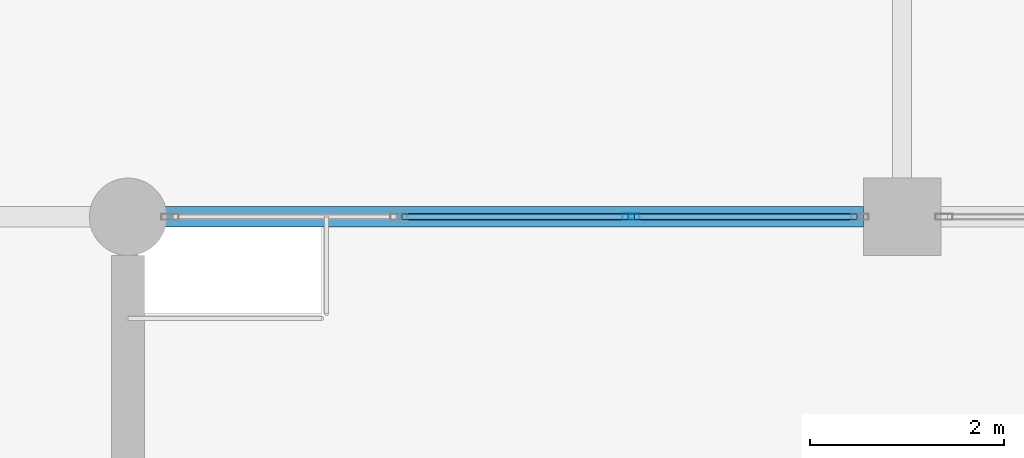
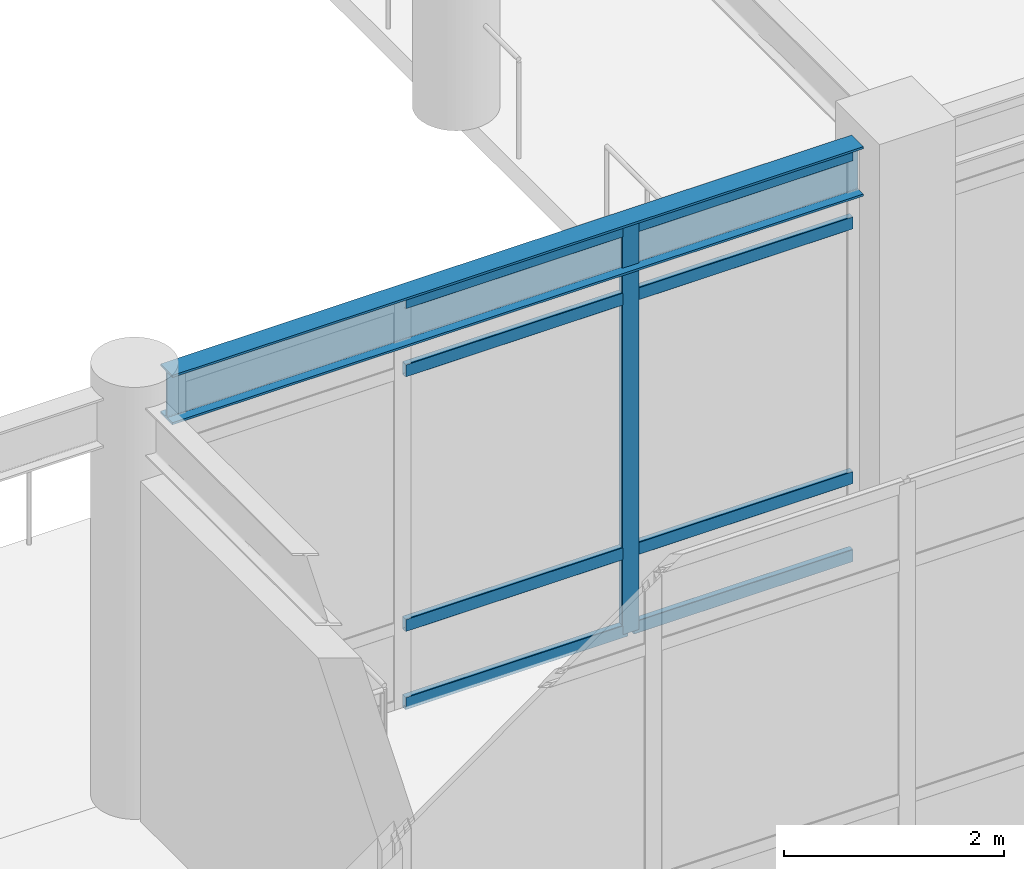
# One storey, part 37 of 117: 9 members, 1 beam, 1 element without a shape of its own.
"""IFC4 building model written with IfcOpenShell, lengths in metres."""

from ifc_helpers import new_model, si_unit, direction, frame, origin, origin_2d, place, context, subcontext, project, spatial, hollow_rectangle, i_section, extrude, material, material_profile, profile_set, type_object, element, aggregate, save


model = new_model("IFC4")

# Units and contexts
model_context = context("Model", 3, precision=1e-05, world=origin(), true_north=direction((0.0, 1.0)))
body_context = subcontext(model_context, "Body", "Model", "MODEL_VIEW")
ifc_project = project(units=[si_unit("LENGTHUNIT", "METRE"), si_unit("AREAUNIT", "SQUARE_METRE"), si_unit("VOLUMEUNIT", "CUBIC_METRE"), si_unit("PLANEANGLEUNIT", "RADIAN"), si_unit("MASSUNIT", "GRAM", prefix="KILO")], contexts=[model_context])

# Site, building, storey
site_placement = place(None, origin())
site = spatial("IfcSite", under=ifc_project, at=site_placement, CompositionType="ELEMENT")
building_placement = place(site_placement, origin())
building = spatial("IfcBuilding", under=site, at=building_placement, Name="Solmirada Galleria", CompositionType="ELEMENT")
storey_placement = place(building_placement, frame((0.0, 0.0, 5.60009765625)))
storey = spatial("IfcBuildingStorey", under=building, at=storey_placement, Name="L01", CompositionType="ELEMENT", Elevation=5.60009765625)

# Beam
ifc_material_1 = material(Name="Steel S355 / ASTM A992 Grade 50", Category="steel")
ifc_material_profile_1 = material_profile(ifc_material_1, i_section(OverallWidth=0.214111328125, OverallDepth=0.549072265625, WebThickness=0.0146484375, FlangeThickness=0.023681640625, FilletRadius=0.014892578125, at=origin_2d()), Name="W21X93")
ifc_profile_set_1 = profile_set([ifc_material_profile_1], Name="Steel S355 / ASTM A992 Grade 50")
beam_type = type_object("IfcBeamType", Name="BM-GIRD-W21A", PredefinedType="BEAM", material=ifc_profile_set_1)
beam_placement = place(storey_placement, frame((96.3359375, 48.0, 4.325439453125), z_axis=(1.0, 0.0, 0.0), x_axis=(0.0, 1.0, 0.0)))
element("IfcBeam", 1, at=beam_placement, inside=storey, type_object=beam_type, Name="Primary beam L02 X(96..104, 48)", PredefinedType="BEAM", context=body_context, shape_type="SweptSolid", body=[
    extrude(i_section(OverallWidth=0.214111328125, OverallDepth=0.549072265625, WebThickness=0.0146484375, FlangeThickness=0.023681640625, FilletRadius=0.014892578125, at=origin_2d()), origin(), (0.0, 0.0, 1.0), 7.26416015625),
])

# Curtain wall, members
ifc_material_2 = material(Name="Impact-resistant low-E double glazing", Category="glass")
curtain_wall_type = type_object("IfcCurtainWallType", Name="CW-FZ3-L01-B3-L072", PredefinedType="NOTDEFINED", material=ifc_material_2)
curtain_wall_placement = place(storey_placement, origin())
curtain_wall = element("IfcCurtainWall", 2, at=curtain_wall_placement, inside=storey, type_object=curtain_wall_type, Name="Terrace and arcade storefront CW-L01-072", PredefinedType="NOTDEFINED")
ifc_material_3 = material(Name="Anodised aluminium framing", Category="aluminium")
ifc_material_profile_2 = material_profile(ifc_material_3, hollow_rectangle(XDim=0.06494140625, YDim=0.179931640625, WallThickness=0.00390625, InnerFilletRadius=0.00390625, OuterFilletRadius=0.008056640625, at=origin_2d()), Name="ALU-MULL-180X65")
ifc_profile_set_2 = profile_set([ifc_material_profile_2], Name="Anodised aluminium framing")
member_type_1 = type_object("IfcMemberType", Name="CW-MULL-180", PredefinedType="MULLION", material=ifc_profile_set_2)
member_1_placement = place(storey_placement, frame((101.19921875, 48.0, 0.0), z_axis=(0.0, 0.0, 1.0), x_axis=(0.0, -1.0, 0.0)))
member_1 = element("IfcMember", 3, at=member_1_placement, type_object=member_type_1, Name="CW12 mullion 2", PredefinedType="MULLION", context=body_context, shape_type="SweptSolid", body=[
    extrude(hollow_rectangle(XDim=0.06494140625, YDim=0.179931640625, WallThickness=0.00390625, InnerFilletRadius=0.00390625, OuterFilletRadius=0.008056640625, at=origin_2d()), origin(), (0.0, 0.0, 1.0), 4.52001953125),
])
ifc_material_profile_3 = material_profile(ifc_material_3, hollow_rectangle(XDim=0.06494140625, YDim=0.139892578125, WallThickness=0.00341796875, InnerFilletRadius=0.00341796875, OuterFilletRadius=0.007080078125, at=origin_2d()), Name="ALU-TRAN-140X65")
ifc_profile_set_3 = profile_set([ifc_material_profile_3], Name="Anodised aluminium framing")
member_type_2 = type_object("IfcMemberType", Name="CW-TRAN-140", PredefinedType="USERDEFINED", material=ifc_profile_set_3)
member_2_placement = place(storey_placement, frame((103.532958984375, 48.0, 0.032470703125), z_axis=(-1.0, 0.0, 0.0), x_axis=(0.0, -1.0, 0.0)))
member_2 = element("IfcMember", 4, at=member_2_placement, type_object=member_type_2, Name="CW12 transom 1.1", ObjectType="TRANSOM", PredefinedType="USERDEFINED", context=body_context, shape_type="SweptSolid", body=[
    extrude(hollow_rectangle(XDim=0.06494140625, YDim=0.139892578125, WallThickness=0.00341796875, InnerFilletRadius=0.00341796875, OuterFilletRadius=0.007080078125, at=origin_2d()), origin(), (0.0, 0.0, 1.0), 2.301025390625),
])
member_3_placement = place(storey_placement, frame((103.532958984375, 48.0, 0.89990234375), z_axis=(-1.0, 0.0, 0.0), x_axis=(0.0, -1.0, 0.0)))
member_3 = element("IfcMember", 5, at=member_3_placement, type_object=member_type_2, Name="CW12 transom 1.2", ObjectType="TRANSOM", PredefinedType="USERDEFINED", context=body_context, shape_type="SweptSolid", body=[
    extrude(hollow_rectangle(XDim=0.06494140625, YDim=0.139892578125, WallThickness=0.00341796875, InnerFilletRadius=0.00341796875, OuterFilletRadius=0.007080078125, at=origin_2d()), origin(), (0.0, 0.0, 1.0), 2.301025390625),
])
member_4_placement = place(storey_placement, frame((103.532958984375, 48.0, 3.72998046875), z_axis=(-1.0, 0.0, 0.0), x_axis=(0.0, -1.0, 0.0)))
member_4 = element("IfcMember", 6, at=member_4_placement, type_object=member_type_2, Name="CW12 transom 1.3", ObjectType="TRANSOM", PredefinedType="USERDEFINED", context=body_context, shape_type="SweptSolid", body=[
    extrude(hollow_rectangle(XDim=0.06494140625, YDim=0.139892578125, WallThickness=0.00341796875, InnerFilletRadius=0.00341796875, OuterFilletRadius=0.007080078125, at=origin_2d()), origin(), (0.0, 0.0, 1.0), 2.301025390625),
])
member_5_placement = place(storey_placement, frame((103.532958984375, 48.0, 4.4873046875), z_axis=(-1.0, 0.0, 0.0), x_axis=(0.0, -1.0, 0.0)))
member_5 = element("IfcMember", 7, at=member_5_placement, type_object=member_type_2, Name="CW12 transom 1.4", ObjectType="TRANSOM", PredefinedType="USERDEFINED", context=body_context, shape_type="SweptSolid", body=[
    extrude(hollow_rectangle(XDim=0.06494140625, YDim=0.139892578125, WallThickness=0.00341796875, InnerFilletRadius=0.00341796875, OuterFilletRadius=0.007080078125, at=origin_2d()), origin(), (0.0, 0.0, 1.0), 2.301025390625),
])
member_6_placement = place(storey_placement, frame((101.166748046875, 48.0, 0.032470703125), z_axis=(-1.0, 0.0, 0.0), x_axis=(0.0, -1.0, 0.0)))
member_6 = element("IfcMember", 8, at=member_6_placement, type_object=member_type_2, Name="CW12 transom 2.1", ObjectType="TRANSOM", PredefinedType="USERDEFINED", context=body_context, shape_type="SweptSolid", body=[
    extrude(hollow_rectangle(XDim=0.06494140625, YDim=0.139892578125, WallThickness=0.00341796875, InnerFilletRadius=0.00341796875, OuterFilletRadius=0.007080078125, at=origin_2d()), origin(), (0.0, 0.0, 1.0), 2.33349609375),
])
member_7_placement = place(storey_placement, frame((101.166748046875, 48.0, 0.89990234375), z_axis=(-1.0, 0.0, 0.0), x_axis=(0.0, -1.0, 0.0)))
member_7 = element("IfcMember", 9, at=member_7_placement, type_object=member_type_2, Name="CW12 transom 2.2", ObjectType="TRANSOM", PredefinedType="USERDEFINED", context=body_context, shape_type="SweptSolid", body=[
    extrude(hollow_rectangle(XDim=0.06494140625, YDim=0.139892578125, WallThickness=0.00341796875, InnerFilletRadius=0.00341796875, OuterFilletRadius=0.007080078125, at=origin_2d()), origin(), (0.0, 0.0, 1.0), 2.33349609375),
])
member_8_placement = place(storey_placement, frame((101.166748046875, 48.0, 3.72998046875), z_axis=(-1.0, 0.0, 0.0), x_axis=(0.0, -1.0, 0.0)))
member_8 = element("IfcMember", 10, at=member_8_placement, type_object=member_type_2, Name="CW12 transom 2.3", ObjectType="TRANSOM", PredefinedType="USERDEFINED", context=body_context, shape_type="SweptSolid", body=[
    extrude(hollow_rectangle(XDim=0.06494140625, YDim=0.139892578125, WallThickness=0.00341796875, InnerFilletRadius=0.00341796875, OuterFilletRadius=0.007080078125, at=origin_2d()), origin(), (0.0, 0.0, 1.0), 2.33349609375),
])
member_9_placement = place(storey_placement, frame((101.166748046875, 48.0, 4.4873046875), z_axis=(-1.0, 0.0, 0.0), x_axis=(0.0, -1.0, 0.0)))
member_9 = element("IfcMember", 11, at=member_9_placement, type_object=member_type_2, Name="CW12 transom 2.4", ObjectType="TRANSOM", PredefinedType="USERDEFINED", context=body_context, shape_type="SweptSolid", body=[
    extrude(hollow_rectangle(XDim=0.06494140625, YDim=0.139892578125, WallThickness=0.00341796875, InnerFilletRadius=0.00341796875, OuterFilletRadius=0.007080078125, at=origin_2d()), origin(), (0.0, 0.0, 1.0), 2.33349609375),
])
aggregate(curtain_wall, [member_1, member_2, member_3, member_4, member_5, member_6, member_7, member_8, member_9])

save(model, "model.ifc")
